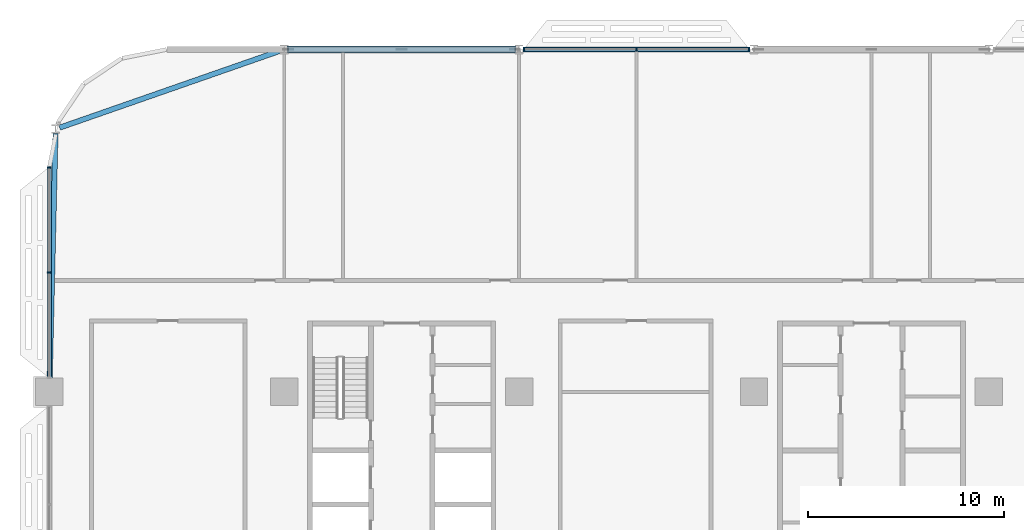
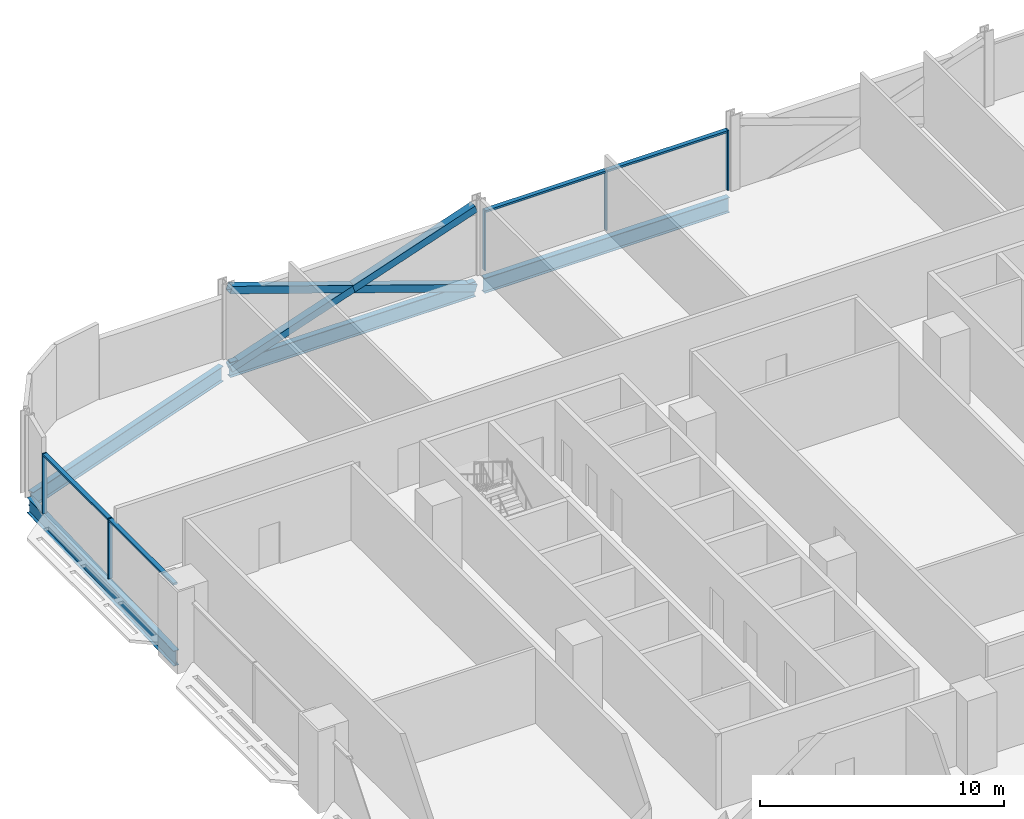
# One storey, part 6 of 29: 12 members, 4 beams, 2 elements without a shape of their own.
"""IFC4 building model written with IfcOpenShell, lengths in metres."""

import ifcopenshell
import ifcopenshell.guid

model = None  # the IFC model being written
_history = None  # IfcOwnerHistory: only IFC2X3 demands one
_inside = {}  # id of a spatial element -> (the spatial element, [elements in it])
_under = {}  # id of a project, library or spatial element -> (it, [spatial elements below it])
_declared = {}  # id of a project -> (the project, [libraries it declares])
_typed = {}  # id of a type object -> (the type object, [elements of that type])
_made_of = {}  # id of a material, layer set ... -> (it, [elements and type objects made of it])


def new_model(schema):
    """Start an empty IFC model of exactly this schema.

    Asked for "IFC4X3", IfcOpenShell would pick the latest addendum, in which some entities
    have other attributes; the version numbers below select the first issue.
    IFC2X3 requires an IfcOwnerHistory on every rooted entity: one is made here for all.
    """
    global model, _history
    if schema == "IFC4X3":
        model = ifcopenshell.file(schema_version=(4, 3, 0, 0))
    else:
        model = ifcopenshell.file(schema=schema)
    _inside.clear()
    _under.clear()
    _declared.clear()
    _typed.clear()
    _made_of.clear()
    _history = None
    if model.schema == "IFC2X3":
        org = make("IfcOrganization", Name="unknown")
        user = make(
            "IfcPersonAndOrganization",
            ThePerson=make("IfcPerson", FamilyName="unknown"),
            TheOrganization=org,
        )
        app = make(
            "IfcApplication",
            ApplicationDeveloper=org,
            Version="unknown",
            ApplicationFullName="unknown",
            ApplicationIdentifier="unknown",
        )
        _history = make(
            "IfcOwnerHistory",
            OwningUser=user,
            OwningApplication=app,
            ChangeAction="ADDED",
            CreationDate=0,
        )
    return model


def make(cls, **values):
    """One entity of the class cls with the attributes given. An attribute that is None is left unset."""
    return model.create_entity(
        cls, **{name: value for name, value in values.items() if value is not None}
    )


def rooted(cls, **values):
    """An entity with a GlobalId (a new one), such as an element, a storey or a relation."""
    return make(cls, GlobalId=ifcopenshell.guid.new(), OwnerHistory=_history, **values)


def si_unit(unit_type, name, prefix=None):
    """IfcSIUnit, for example si_unit("LENGTHUNIT", "METRE", prefix="MILLI")."""
    return make("IfcSIUnit", UnitType=unit_type, Prefix=prefix, Name=name)


def assignment(units):
    """IfcUnitAssignment: the units of a project."""
    return None if units is None else make("IfcUnitAssignment", Units=units)


def point(xyz):
    """IfcCartesianPoint."""
    return None if xyz is None else make("IfcCartesianPoint", Coordinates=xyz)


def direction(xyz):
    """IfcDirection."""
    return None if xyz is None else make("IfcDirection", DirectionRatios=xyz)


def frame(location, z_axis=None, x_axis=None):
    """IfcAxis2Placement3D, a coordinate frame: its origin and axes. An axis left out is left unset."""
    return make(
        "IfcAxis2Placement3D",
        Location=point(location),
        Axis=direction(z_axis),
        RefDirection=direction(x_axis),
    )


def frame_2d(location, x_axis=None):
    """IfcAxis2Placement2D, a coordinate frame in the plane: its origin and x axis."""
    return make(
        "IfcAxis2Placement2D", Location=point(location), RefDirection=direction(x_axis)
    )


def origin():
    """The frame at (0, 0, 0) with its axes left unset."""
    return frame((0.0, 0.0, 0.0))


def origin_2d():
    """The frame at (0, 0) in the plane with its x axis left unset."""
    return frame_2d((0.0, 0.0))


def place(relative_to, where):
    """IfcLocalPlacement: puts the frame where relative to a parent placement (None: the world)."""
    return make(
        "IfcLocalPlacement", PlacementRelTo=relative_to, RelativePlacement=where
    )


def context(
    kind, dimensions, precision=None, world=None, true_north=None, identifier=None
):
    """IfcGeometricRepresentationContext, for example the 3D "Model" context."""
    return make(
        "IfcGeometricRepresentationContext",
        ContextIdentifier=identifier,
        ContextType=kind,
        CoordinateSpaceDimension=dimensions,
        Precision=precision,
        WorldCoordinateSystem=world,
        TrueNorth=true_north,
    )


def subcontext(parent, identifier, kind, view, scale=None):
    """IfcGeometricRepresentationSubContext, for example "Body" below "Model"."""
    return make(
        "IfcGeometricRepresentationSubContext",
        ContextIdentifier=identifier,
        ContextType=kind,
        ParentContext=parent,
        TargetScale=scale,
        TargetView=view,
    )


def project(units=None, contexts=None):
    """IfcProject with its units and contexts."""
    return rooted(
        "IfcProject",
        Name="project",
        RepresentationContexts=contexts,
        UnitsInContext=assignment(units),
    )


def spatial(cls, under=None, at=None, **own):
    """A site, building, storey or space (cls), placed at a placement, below another one or the project."""
    s = rooted(cls, ObjectPlacement=at, **own)
    if under is not None:
        _under.setdefault(under.id(), (under, []))[1].append(s)
    return s


def profile(cls, at=None, kind="AREA", **sizes):
    """A parametric profile (cls). Its sizes go by their IFC names, for example OverallWidth=200.0."""
    return make(cls, ProfileType=kind, Position=at, **sizes)


def rectangle(**sizes):
    """IfcRectangleProfileDef."""
    return profile("IfcRectangleProfileDef", **sizes)


def hollow_rectangle(**sizes):
    """IfcRectangleHollowProfileDef."""
    return profile("IfcRectangleHollowProfileDef", **sizes)


def i_section(**sizes):
    """IfcIShapeProfileDef."""
    return profile("IfcIShapeProfileDef", **sizes)


def extrude(swept, where, along, depth):
    """IfcExtrudedAreaSolid: the profile swept, set in the frame where, extruded along a direction by depth."""
    return make(
        "IfcExtrudedAreaSolid",
        SweptArea=swept,
        Position=where,
        ExtrudedDirection=direction(along),
        Depth=depth,
    )


def shape(context_of_items, identifier, shape_type, items):
    """IfcShapeRepresentation: the items that make up one representation, for example the "Body"."""
    return make(
        "IfcShapeRepresentation",
        ContextOfItems=context_of_items,
        RepresentationIdentifier=identifier,
        RepresentationType=shape_type,
        Items=items,
    )


def material(Name=None, Category=None):
    """IfcMaterial."""
    return make("IfcMaterial", Name=Name, Category=Category)


def material_profile(
    of_material, cross_section, Name=None, Category=None, Priority=None
):
    """IfcMaterialProfile: a cross section and its material."""
    return make(
        "IfcMaterialProfile",
        Name=Name,
        Material=of_material,
        Profile=cross_section,
        Priority=Priority,
        Category=Category,
    )


def profile_set(profiles, Name=None, composite=None):
    """IfcMaterialProfileSet."""
    return make(
        "IfcMaterialProfileSet",
        Name=Name,
        MaterialProfiles=profiles,
        CompositeProfile=composite,
    )


def made_of(thing, what):
    """Note that an element or type object is made of a material, layer set ...; save() writes the relation."""
    if what is not None:
        _made_of.setdefault(what.id(), (what, []))[1].append(thing)
    return thing


def type_object(cls, material=None, **own):
    """A type object (cls), such as IfcWallType, which elements share."""
    return made_of(rooted(cls, **own), material)


def element(
    cls,
    number,
    at=None,
    inside=None,
    cuts=None,
    type_object=None,
    material=None,
    context=None,
    identifier="Body",
    shape_type=None,
    held_by="IfcProductDefinitionShape",
    body=None,
    shapes=None,
    **own,
):
    """One element of the class cls, such as IfcWall. Its Tag is "e" and its number.

    at: its placement. inside: the storey or other place that contains it. cuts: it is an
    opening in that element (IfcRelVoidsElement). A single representation is given by context,
    identifier, shape_type and body (its items); several are given by shapes. held_by: the class
    of the entity that holds the representations. save() writes the other relations.
    """
    e = rooted(cls, Tag="e%d" % number, ObjectPlacement=at, **own)
    if body is not None:
        shapes = [shape(context, identifier, shape_type, body)]
    if shapes is not None:
        e.Representation = make(held_by, Representations=shapes)
    if inside is not None:
        _inside.setdefault(inside.id(), (inside, []))[1].append(e)
    if cuts is not None:
        rooted(
            "IfcRelVoidsElement", RelatingBuildingElement=cuts, RelatedOpeningElement=e
        )
    if type_object is not None:
        _typed.setdefault(type_object.id(), (type_object, []))[1].append(e)
    return made_of(e, material)


def aggregate(whole, parts):
    """IfcRelAggregates: a whole, such as a stair, and the parts it consists of."""
    return rooted("IfcRelAggregates", RelatingObject=whole, RelatedObjects=parts)


def save(model, path):
    """Write the relations noted so far, then the file.

    IfcRelAggregates (storeys below a building ...), IfcRelContainedInSpatialStructure (elements
    in a storey), IfcRelDefinesByType, IfcRelAssociatesMaterial and IfcRelDeclares: one each for
    every whole, place, type object, material and project.
    """
    for whole, parts in _under.values():
        aggregate(whole, parts)
    for where, things in _inside.values():
        rooted(
            "IfcRelContainedInSpatialStructure",
            RelatedElements=things,
            RelatingStructure=where,
        )
    for kind, things in _typed.values():
        rooted("IfcRelDefinesByType", RelatedObjects=things, RelatingType=kind)
    for what, things in _made_of.values():
        rooted("IfcRelAssociatesMaterial", RelatedObjects=things, RelatingMaterial=what)
    for by, libraries in _declared.values():
        rooted("IfcRelDeclares", RelatingContext=by, RelatedDefinitions=libraries)
    model.write(path)


model = new_model("IFC4")

# Units and contexts
model_context = context("Model", 3, precision=1e-05, world=origin(), true_north=direction((0.0, 1.0)))
body_context = subcontext(model_context, "Body", "Model", "MODEL_VIEW")
ifc_project = project(units=[si_unit("LENGTHUNIT", "METRE"), si_unit("AREAUNIT", "SQUARE_METRE"), si_unit("VOLUMEUNIT", "CUBIC_METRE"), si_unit("PLANEANGLEUNIT", "RADIAN"), si_unit("MASSUNIT", "GRAM", prefix="KILO")], contexts=[model_context])

# Site, building, storey
site_placement = place(None, origin())
site = spatial("IfcSite", under=ifc_project, at=site_placement, CompositionType="ELEMENT")
building_placement = place(site_placement, origin())
building = spatial("IfcBuilding", under=site, at=building_placement, Name="Mahtab Terrace Research Tower", CompositionType="ELEMENT")
storey_placement = place(building_placement, frame((0.0, 0.0, 97.10009765625)))
storey = spatial("IfcBuildingStorey", under=building, at=storey_placement, Name="L22", CompositionType="ELEMENT", Elevation=97.10009765625)

# Members
ifc_material_1 = material(Name="Steel ASTM A500 Gr C", Category="steel")
ifc_material_profile_1 = material_profile(ifc_material_1, hollow_rectangle(XDim=0.355712890625, YDim=0.355712890625, WallThickness=0.01904296875, at=origin_2d()), Name="HSS14X14X3/4")
ifc_profile_set_1 = profile_set([ifc_material_profile_1], Name="Steel ASTM A500 Gr C")
member_type_1 = type_object("IfcMemberType", Name="HSS 14x14x3/4 brace XB141434", PredefinedType="BRACE", material=ifc_profile_set_1)
member_1_placement = place(storey_placement, frame((-18.20947265625, 29.0, -0.64697265625), z_axis=(-0.946292853795, 0.0, 0.323310740397), x_axis=(0.0, -1.0, 0.0)))
element("IfcMember", 1, at=member_1_placement, inside=storey, type_object=member_type_1, Name="Exoskeleton brace L22 07 a", PredefinedType="BRACE", context=body_context, shape_type="SweptSolid", body=[
    extrude(hollow_rectangle(XDim=0.355712890625, YDim=0.355712890625, WallThickness=0.01904296875, at=origin_2d()), origin(), (0.0, 0.0, 1.0), 12.23828125),
])
for number, where, z_axis, x_axis, name in (
    (2, (-29.79052734375, 29.0, -0.64697265625), (0.946286750388, 0.0, 0.323328603809), (0.0, 1.0, 0.0), "Exoskeleton brace L22 07 b1"),
    (3, (-24.0, 29.0, 1.33154296875), (0.946298956945, 0.0, 0.323292876639), (0.0, 1.0, 0.0), "Exoskeleton brace L22 07 b2"),
):
    element("IfcMember", number, at=place(storey_placement, frame(where, z_axis=z_axis, x_axis=x_axis)), inside=storey, type_object=member_type_1, Name=name, PredefinedType="BRACE", context=body_context, shape_type="SweptSolid", body=[
        extrude(hollow_rectangle(XDim=0.355712890625, YDim=0.355712890625, WallThickness=0.01904296875, at=origin_2d()), origin(), (0.0, 0.0, 1.0), 6.119140625),
    ])

# Curtain wall, members
ifc_material_2 = material(Name="Laboratory ribbon curtain wall")
curtain_wall_type = type_object("IfcCurtainWallType", Name="Laboratory ribbon curtain wall", PredefinedType="NOTDEFINED", material=ifc_material_2)
curtain_wall_1_placement = place(storey_placement, origin())
curtain_wall_1 = element("IfcCurtainWall", 4, at=curtain_wall_1_placement, inside=storey, type_object=curtain_wall_type, Name="EN.L22.3.8", PredefinedType="NOTDEFINED")
ifc_material_3 = material(Name="Natural anodised aluminium", Category="aluminium")
ifc_material_profile_2 = material_profile(ifc_material_3, rectangle(XDim=0.199951171875, YDim=0.06494140625, at=origin_2d()), Name="MULLION 65x200")
ifc_profile_set_2 = profile_set([ifc_material_profile_2], Name="Natural anodised aluminium")
member_type_2 = type_object("IfcMemberType", Name="Laboratory ribbon curtain wall mullion", PredefinedType="MULLION", material=ifc_profile_set_2)
member_2_placement = place(storey_placement, frame((-6.260498046875, 29.0, 0.0), z_axis=(0.0, 0.0, 1.0), x_axis=(0.0, -1.0, 0.0)))
member_2 = element("IfcMember", 5, at=member_2_placement, type_object=member_type_2, Name="CWL-3 mullion 1", PredefinedType="MULLION", context=body_context, shape_type="SweptSolid", body=[
    extrude(rectangle(XDim=0.199951171875, YDim=0.06494140625, at=origin_2d()), origin(), (0.0, 0.0, 1.0), 3.0029296875),
])
member_3_placement = place(storey_placement, frame((-12.0, 29.0, 0.0), z_axis=(0.0, 0.0, 1.0), x_axis=(0.0, -1.0, 0.0)))
member_3 = element("IfcMember", 6, at=member_3_placement, type_object=member_type_2, Name="CWL-3 mullion 2", PredefinedType="MULLION", context=body_context, shape_type="SweptSolid", body=[
    extrude(rectangle(XDim=0.199951171875, YDim=0.06494140625, at=origin_2d()), origin(), (0.0, 0.0, 1.0), 3.0029296875),
])
member_4_placement = place(storey_placement, frame((-17.739501953125, 29.0, 0.0), z_axis=(0.0, 0.0, 1.0), x_axis=(0.0, -1.0, 0.0)))
member_4 = element("IfcMember", 7, at=member_4_placement, type_object=member_type_2, Name="CWL-3 mullion 3", PredefinedType="MULLION", context=body_context, shape_type="SweptSolid", body=[
    extrude(rectangle(XDim=0.199951171875, YDim=0.06494140625, at=origin_2d()), origin(), (0.0, 0.0, 1.0), 3.0029296875),
])

curtain_wall_2_placement = place(storey_placement, origin())
curtain_wall_2 = element("IfcCurtainWall", 8, at=curtain_wall_2_placement, inside=storey, type_object=curtain_wall_type, Name="EN.L22.8.16", PredefinedType="NOTDEFINED")
member_5_placement = place(storey_placement, frame((-42.0, 22.967529296875, 0.0), z_axis=(0.0, 0.0, 1.0), x_axis=(1.0, 0.0, 0.0)))
member_5 = element("IfcMember", 9, at=member_5_placement, type_object=member_type_2, Name="CWL-3 mullion 1", PredefinedType="MULLION", context=body_context, shape_type="SweptSolid", body=[
    extrude(rectangle(XDim=0.199951171875, YDim=0.06494140625, at=origin_2d()), origin(), (0.0, 0.0, 1.0), 3.0029296875),
])
member_6_placement = place(storey_placement, frame((-42.0, 17.60009765625, 0.0), z_axis=(0.0, 0.0, 1.0), x_axis=(1.0, 0.0, 0.0)))
member_6 = element("IfcMember", 10, at=member_6_placement, type_object=member_type_2, Name="CWL-3 mullion 2", PredefinedType="MULLION", context=body_context, shape_type="SweptSolid", body=[
    extrude(rectangle(XDim=0.199951171875, YDim=0.06494140625, at=origin_2d()), origin(), (0.0, 0.0, 1.0), 3.0029296875),
])

# Member
ifc_material_profile_3 = material_profile(ifc_material_3, rectangle(XDim=0.199951171875, YDim=0.10009765625, at=origin_2d()), Name="TRANSOM 100x200")
ifc_profile_set_3 = profile_set([ifc_material_profile_3], Name="Natural anodised aluminium")
member_type_3 = type_object("IfcMemberType", Name="Laboratory ribbon curtain wall transom", PredefinedType="USERDEFINED", material=ifc_profile_set_3)
member_7_placement = place(storey_placement, frame((-6.29296875, 29.0, 2.952880859375), z_axis=(-1.0, 0.0, 0.0), x_axis=(0.0, -1.0, 0.0)))
member_7 = element("IfcMember", 11, at=member_7_placement, type_object=member_type_3, Name="CWL-3 transom 1", ObjectType="TRANSOM", PredefinedType="USERDEFINED", context=body_context, shape_type="SweptSolid", body=[
    extrude(rectangle(XDim=0.199951171875, YDim=0.10009765625, at=origin_2d()), origin(), (0.0, 0.0, 1.0), 5.674560546875),
])

member_8_placement = place(storey_placement, frame((-12.032470703125, 29.0, 2.952880859375), z_axis=(-1.0, 0.0, 0.0), x_axis=(0.0, -1.0, 0.0)))
member_8 = element("IfcMember", 12, at=member_8_placement, type_object=member_type_3, Name="CWL-3 transom 2", ObjectType="TRANSOM", PredefinedType="USERDEFINED", context=body_context, shape_type="SweptSolid", body=[
    extrude(rectangle(XDim=0.199951171875, YDim=0.10009765625, at=origin_2d()), origin(), (0.0, 0.0, 1.0), 5.674560546875),
])

aggregate(curtain_wall_1, [member_2, member_3, member_4, member_7, member_8])

member_9_placement = place(storey_placement, frame((-42.0, 22.93505859375, 2.952880859375), z_axis=(0.0, -1.0, 0.0), x_axis=(1.0, 0.0, 0.0)))
member_9 = element("IfcMember", 13, at=member_9_placement, type_object=member_type_3, Name="CWL-3 transom 1", ObjectType="TRANSOM", PredefinedType="USERDEFINED", context=body_context, shape_type="SweptSolid", body=[
    extrude(rectangle(XDim=0.199951171875, YDim=0.10009765625, at=origin_2d()), origin(), (0.0, 0.0, 1.0), 5.302490234375),
])

member_10_placement = place(storey_placement, frame((-42.0, 17.5673828125, 2.952880859375), z_axis=(0.0, -1.0, 0.0), x_axis=(1.0, 0.0, 0.0)))
member_10 = element("IfcMember", 14, at=member_10_placement, type_object=member_type_3, Name="CWL-3 transom 2", ObjectType="TRANSOM", PredefinedType="USERDEFINED", context=body_context, shape_type="SweptSolid", body=[
    extrude(rectangle(XDim=0.199951171875, YDim=0.10009765625, at=origin_2d()), origin(), (0.0, 0.0, 1.0), 5.302490234375),
])

aggregate(curtain_wall_2, [member_5, member_6, member_9, member_10])

# Beams
ifc_material_4 = material(Name="Steel ASTM A992 Gr 50", Category="steel")
ifc_material_profile_4 = material_profile(ifc_material_4, i_section(OverallWidth=0.2666015625, OverallDepth=0.7568359375, WebThickness=0.013916015625, FlangeThickness=0.019287109375, at=origin_2d()), Name="W30X108")
ifc_profile_set_4 = profile_set([ifc_material_profile_4], Name="Steel ASTM A992 Gr 50")
beam_type = type_object("IfcBeamType", Name="W30x108 beam BS30108", PredefinedType="BEAM", material=ifc_profile_set_4)
for number, where, z_axis, x_axis, name in (
    (15, (-6.20947265625, 29.0, -0.718505859375), (-1.0, 0.0, 0.0), (0.0, -1.0, 0.0), "Spandrel beam L22 06"),
    (16, (-18.20947265625, 29.0, -0.718505859375), (-1.0, 0.0, 0.0), (0.0, -1.0, 0.0), "Spandrel beam L22 07"),
):
    element("IfcBeam", number, at=place(storey_placement, frame(where, z_axis=z_axis, x_axis=x_axis)), inside=storey, type_object=beam_type, Name=name, PredefinedType="BEAM", context=body_context, shape_type="SweptSolid", body=[
        extrude(i_section(OverallWidth=0.2666015625, OverallDepth=0.7568359375, WebThickness=0.013916015625, FlangeThickness=0.019287109375, at=origin_2d()), origin(), (0.0, 0.0, 1.0), 11.5810546875),
    ])
beam_1_placement = place(storey_placement, frame((-30.20947265625, 28.927001953125, -0.718505859375), z_axis=(-0.944250501583, -0.32922786981, 0.0), x_axis=(0.32922786981, -0.944250501583, 0.0)))
element("IfcBeam", 17, at=beam_1_placement, inside=storey, type_object=beam_type, Name="Spandrel beam L22 08", PredefinedType="BEAM", context=body_context, shape_type="SweptSolid", body=[
    extrude(i_section(OverallWidth=0.2666015625, OverallDepth=0.7568359375, WebThickness=0.013916015625, FlangeThickness=0.019287109375, at=origin_2d()), origin(), (0.0, 0.0, 1.0), 11.927978515625),
])
beam_2_placement = place(storey_placement, frame((-41.6875, 24.69970703125, -0.718505859375), z_axis=(-0.02366570739, -0.999719927927, 0.0), x_axis=(0.999719927927, -0.02366570739, 0.0)))
element("IfcBeam", 18, at=beam_2_placement, inside=storey, type_object=beam_type, Name="Spandrel beam L22 09", PredefinedType="BEAM", context=body_context, shape_type="SweptSolid", body=[
    extrude(i_section(OverallWidth=0.2666015625, OverallDepth=0.7568359375, WebThickness=0.013916015625, FlangeThickness=0.019287109375, at=origin_2d()), origin(), (0.0, 0.0, 1.0), 12.503173828125),
])

save(model, "model.ifc")
